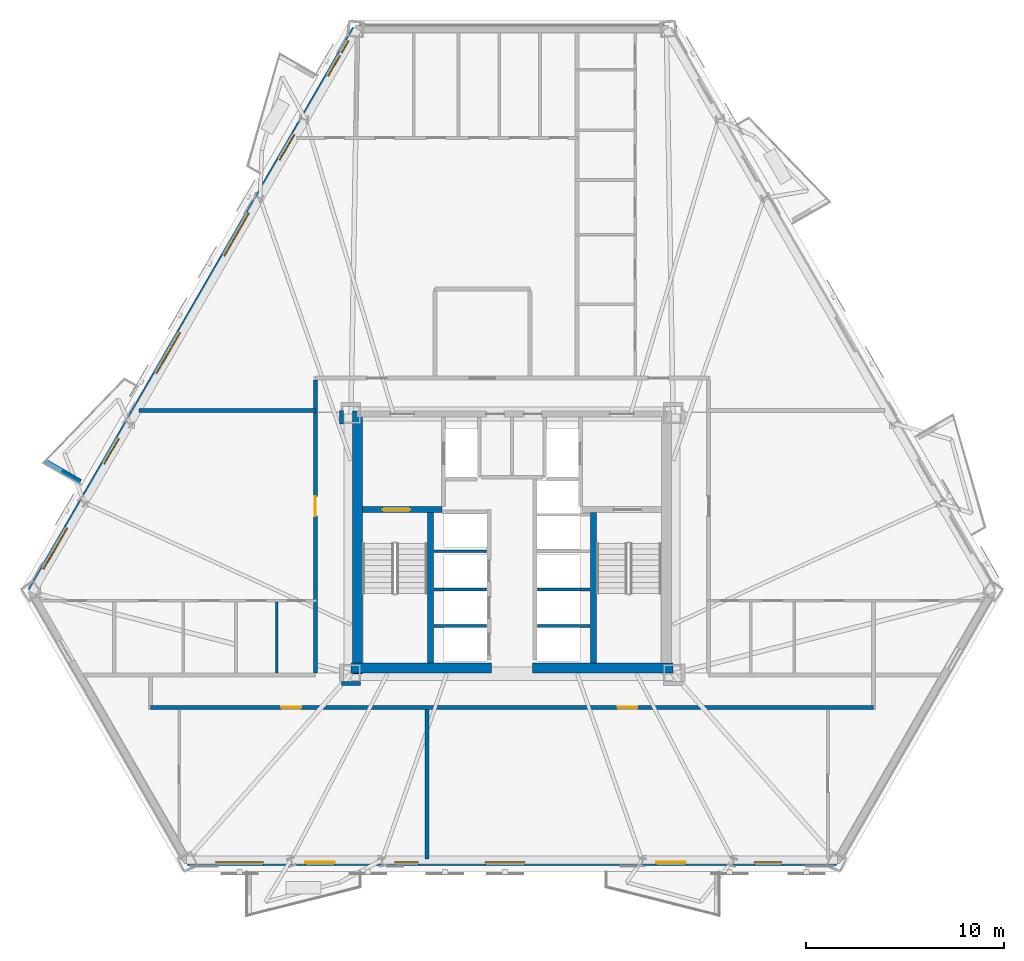
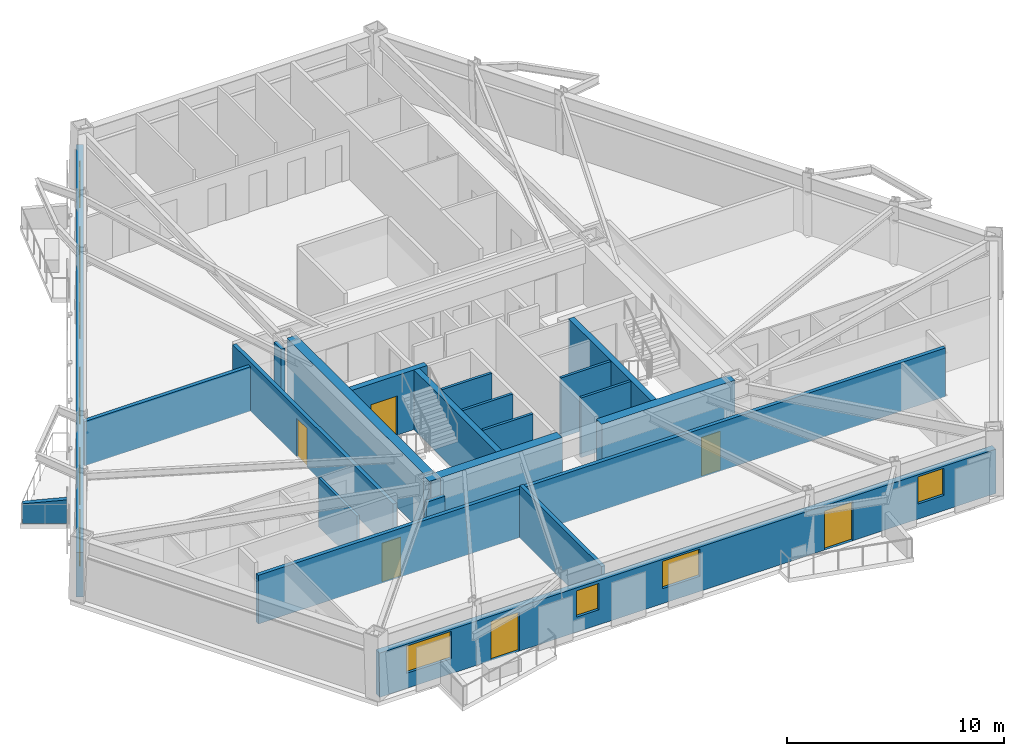
# One storey, part 3 of 12: 21 walls, 9 windows, 8 doors, 17 openings.
"""IFC4 building model written with IfcOpenShell, lengths in metres."""

from ifc_helpers import new_model, si_unit, direction, frame, frame_2d, origin, place, context, subcontext, project, spatial, polyline, rectangle, outline, extrude, material, layer, layer_set, type_object, element, fill, save


model = new_model("IFC4")

# Units and contexts
model_context = context("Model", 3, precision=1e-05, world=origin(), true_north=direction((0.0, 1.0)))
body_context = subcontext(model_context, "Body", "Model", "MODEL_VIEW")
ifc_project = project(units=[si_unit("LENGTHUNIT", "METRE"), si_unit("AREAUNIT", "SQUARE_METRE"), si_unit("VOLUMEUNIT", "CUBIC_METRE"), si_unit("PLANEANGLEUNIT", "RADIAN"), si_unit("MASSUNIT", "GRAM", prefix="KILO")], contexts=[model_context])

# Site, building, storey
site_placement = place(None, origin())
site = spatial("IfcSite", under=ifc_project, at=site_placement, CompositionType="ELEMENT")
building_placement = place(site_placement, origin())
building = spatial("IfcBuilding", under=site, at=building_placement, Name="Oramaril Tower", CompositionType="ELEMENT")
storey_placement = place(building_placement, frame((0.0, 0.0, 30.89990234375)))
storey = spatial("IfcBuildingStorey", under=building, at=storey_placement, Name="L07", CompositionType="ELEMENT", Elevation=30.89990234375)

# Wall, openings, doors, windows
ifc_material_1 = material(Name="Warm Cream Limestone", Category="masonry")
ifc_layer_1 = layer(ifc_material_1, 0.340087890625)
ifc_layer_set_1 = layer_set([ifc_layer_1], Name="WT-EXT34")
wall_type_1 = type_object("IfcWallType", Name="WT-EXT34", PredefinedType="SOLIDWALL", material=ifc_layer_set_1)
wall_1_placement = place(storey_placement, frame((21.087646484375, 1.4658203125, 0.0), z_axis=(0.0, 0.0, 1.0), x_axis=(1.0, 0.0, 0.0)))
wall_1 = element("IfcWall", 1, at=wall_1_placement, inside=storey, type_object=wall_type_1, Name="L07 Tower Limestone Facade Wall 2M", PredefinedType="SOLIDWALL", context=body_context, shape_type="SweptSolid", body=[
    extrude(rectangle(XDim=32.82470703125, YDim=0.340087890625, at=frame_2d((16.412353515625, 0.0))), origin(), (0.0, 0.0, 1.0), 2.494140625),
])
opening_1_placement = place(wall_1_placement, frame((5.949462890625, 0.0, 0.0)))
opening_1 = element("IfcOpeningElement", 2, at=opening_1_placement, cuts=wall_1, Name="Opening D-L07-BAL-S1", PredefinedType="OPENING", context=body_context, shape_type="SweptSolid", body=[
    extrude(rectangle(XDim=1.5, YDim=2.199951171875, at=frame_2d((0.75, 1.10009765625))), frame((0.0, 0.169921875, 0.0), z_axis=(0.0, -1.0, 0.0), x_axis=(1.0, 0.0, 0.0)), (0.0, 0.0, 1.0), 0.340087890625),
])
opening_2_placement = place(wall_1_placement, frame((23.710205078125, 0.0, 0.0)))
opening_2 = element("IfcOpeningElement", 3, at=opening_2_placement, cuts=wall_1, Name="Opening D-L07-BAL-S2", PredefinedType="OPENING", context=body_context, shape_type="SweptSolid", body=[
    extrude(rectangle(XDim=1.5, YDim=2.199951171875, at=frame_2d((0.75, 1.10009765625))), frame((0.0, 0.169921875, 0.0), z_axis=(0.0, -1.0, 0.0), x_axis=(1.0, 0.0, 0.0)), (0.0, 0.0, 1.0), 0.340087890625),
])
opening_3_placement = place(wall_1_placement, frame((1.4267578125, 0.0, 0.85009765625)))
opening_3 = element("IfcOpeningElement", 4, at=opening_3_placement, cuts=wall_1, Name="Opening WN-03", PredefinedType="OPENING", context=body_context, shape_type="SweptSolid", body=[
    extrude(rectangle(XDim=2.39990234375, YDim=1.533935546875, at=frame_2d((1.199951171875, 0.76708984375))), frame((0.0, 0.169921875, 0.0), z_axis=(0.0, -1.0, 0.0), x_axis=(1.0, 0.0, 0.0)), (0.0, 0.0, 1.0), 0.340087890625),
])
opening_4_placement = place(wall_1_placement, frame((10.476806640625, 0.0, 0.85009765625)))
opening_4 = element("IfcOpeningElement", 5, at=opening_4_placement, cuts=wall_1, Name="Opening WN-09", PredefinedType="OPENING", context=body_context, shape_type="SweptSolid", body=[
    extrude(rectangle(XDim=1.199951171875, YDim=1.47998046875, at=frame_2d((0.60009765625, 0.739990234375))), frame((0.0, 0.169921875, 0.0), z_axis=(0.0, -1.0, 0.0), x_axis=(1.0, 0.0, 0.0)), (0.0, 0.0, 1.0), 0.340087890625),
])
opening_5_placement = place(wall_1_placement, frame((15.063720703125, 0.0, 0.85009765625)))
opening_5 = element("IfcOpeningElement", 6, at=opening_5_placement, cuts=wall_1, Name="Opening WN-05", PredefinedType="OPENING", context=body_context, shape_type="SweptSolid", body=[
    extrude(rectangle(XDim=2.0, YDim=1.533935546875, at=frame_2d((1.0, 0.76708984375))), frame((0.0, 0.169921875, 0.0), z_axis=(0.0, -1.0, 0.0), x_axis=(1.0, 0.0, 0.0)), (0.0, 0.0, 1.0), 0.340087890625),
])
opening_6_placement = place(wall_1_placement, frame((28.6728515625, 0.0, 0.85009765625)))
opening_6 = element("IfcOpeningElement", 7, at=opening_6_placement, cuts=wall_1, Name="Opening WN-08", PredefinedType="OPENING", context=body_context, shape_type="SweptSolid", body=[
    extrude(rectangle(XDim=1.39990234375, YDim=1.533935546875, at=frame_2d((0.699951171875, 0.76708984375))), frame((0.0, 0.169921875, 0.0), z_axis=(0.0, -1.0, 0.0), x_axis=(1.0, 0.0, 0.0)), (0.0, 0.0, 1.0), 0.340087890625),
])
ifc_material_2 = material(Name="Anodised Aluminium 6063-T6", Category="aluminium")
door_type_1 = type_object("IfcDoorType", Name="DT-BAL", OperationType="NOTDEFINED", PredefinedType="DOOR", material=ifc_material_2)
door_1_placement = place(opening_1_placement, origin())
door_1 = element("IfcDoor", 8, at=door_1_placement, inside=storey, type_object=door_type_1, Name="L07 Balcony Glazed Door L07-BAL-S1", OperationType="SINGLE_SWING_RIGHT", OverallHeight=2.199951171875, OverallWidth=1.5, PredefinedType="DOOR", context=body_context, shape_type="SweptSolid", body=[
    extrude(rectangle(XDim=1.5, YDim=2.199951171875, at=frame_2d((0.75, 1.10009765625))), frame((0.0, 0.02490234375, 0.0), z_axis=(0.0, -1.0, 0.0), x_axis=(1.0, 0.0, 0.0)), (0.0, 0.0, 1.0), 0.050048828125),
])
fill(opening_1, door_1)
door_2_placement = place(opening_2_placement, origin())
door_2 = element("IfcDoor", 9, at=door_2_placement, inside=storey, type_object=door_type_1, Name="L07 Balcony Glazed Door L07-BAL-S2", OperationType="SINGLE_SWING_LEFT", OverallHeight=2.199951171875, OverallWidth=1.5, PredefinedType="DOOR", context=body_context, shape_type="SweptSolid", body=[
    extrude(rectangle(XDim=1.5, YDim=2.199951171875, at=frame_2d((0.75, 1.10009765625))), frame((0.0, 0.02490234375, 0.0), z_axis=(0.0, -1.0, 0.0), x_axis=(1.0, 0.0, 0.0)), (0.0, 0.0, 1.0), 0.050048828125),
])
fill(opening_2, door_2)
ifc_material_3 = material(Name="Coastal Low-E Insulated Glass", Category="glass")
window_type_1 = type_object("IfcWindowType", Name="WNT-03", PartitioningType="SINGLE_PANEL", PredefinedType="WINDOW", material=ifc_material_3)
window_1_placement = place(opening_3_placement, origin())
window_1 = element("IfcWindow", 10, at=window_1_placement, inside=storey, type_object=window_type_1, Name="L07 Chicago Bay Window WN-03", OverallHeight=1.533935546875, OverallWidth=2.39990234375, PartitioningType="SINGLE_PANEL", PredefinedType="WINDOW", context=body_context, shape_type="SweptSolid", body=[
    extrude(rectangle(XDim=2.39990234375, YDim=1.533935546875, at=frame_2d((1.199951171875, 0.76708984375))), frame((0.0, 0.030029296875, 0.0), z_axis=(0.0, -1.0, 0.0), x_axis=(1.0, 0.0, 0.0)), (0.0, 0.0, 1.0), 0.06005859375),
])
fill(opening_3, window_1)
ifc_material_4 = material(Name="Coastal Low-E Insulated Glass", Category="glass")
window_type_2 = type_object("IfcWindowType", Name="WNT-05", PartitioningType="SINGLE_PANEL", PredefinedType="WINDOW", material=ifc_material_4)
window_2_placement = place(opening_5_placement, origin())
window_2 = element("IfcWindow", 11, at=window_2_placement, inside=storey, type_object=window_type_2, Name="L07 Chicago Bay Window WN-05", OverallHeight=1.533935546875, OverallWidth=2.0, PartitioningType="SINGLE_PANEL", PredefinedType="WINDOW", context=body_context, shape_type="SweptSolid", body=[
    extrude(rectangle(XDim=2.0, YDim=1.533935546875, at=frame_2d((1.0, 0.76708984375))), frame((0.0, 0.030029296875, 0.0), z_axis=(0.0, -1.0, 0.0), x_axis=(1.0, 0.0, 0.0)), (0.0, 0.0, 1.0), 0.06005859375),
])
fill(opening_5, window_2)
ifc_material_5 = material(Name="Coastal Low-E Insulated Glass", Category="glass")
window_type_3 = type_object("IfcWindowType", Name="WNT-08", PartitioningType="SINGLE_PANEL", PredefinedType="WINDOW", material=ifc_material_5)
window_3_placement = place(opening_6_placement, origin())
window_3 = element("IfcWindow", 12, at=window_3_placement, inside=storey, type_object=window_type_3, Name="L07 Chicago Bay Window WN-08", OverallHeight=1.533935546875, OverallWidth=1.39990234375, PartitioningType="SINGLE_PANEL", PredefinedType="WINDOW", context=body_context, shape_type="SweptSolid", body=[
    extrude(rectangle(XDim=1.39990234375, YDim=1.533935546875, at=frame_2d((0.699951171875, 0.76708984375))), frame((0.0, 0.030029296875, 0.0), z_axis=(0.0, -1.0, 0.0), x_axis=(1.0, 0.0, 0.0)), (0.0, 0.0, 1.0), 0.06005859375),
])
fill(opening_6, window_3)
ifc_material_6 = material(Name="Coastal Low-E Insulated Glass", Category="glass")
window_type_4 = type_object("IfcWindowType", Name="WNT-09", PartitioningType="SINGLE_PANEL", PredefinedType="WINDOW", material=ifc_material_6)
window_4_placement = place(opening_4_placement, origin())
window_4 = element("IfcWindow", 13, at=window_4_placement, inside=storey, type_object=window_type_4, Name="L07 Chicago Bay Window WN-09", OverallHeight=1.47998046875, OverallWidth=1.199951171875, PartitioningType="SINGLE_PANEL", PredefinedType="WINDOW", context=body_context, shape_type="SweptSolid", body=[
    extrude(rectangle(XDim=1.199951171875, YDim=1.47998046875, at=frame_2d((0.60009765625, 0.739990234375))), frame((0.0, 0.030029296875, 0.0), z_axis=(0.0, -1.0, 0.0), x_axis=(1.0, 0.0, 0.0)), (0.0, 0.0, 1.0), 0.06005859375),
])
fill(opening_4, window_4)

wall_2_placement = place(storey_placement, frame((29.568359375, 43.630615234375, 0.0), z_axis=(0.0, 0.0, 1.0), x_axis=(-0.500000372107, -0.866025188948, 0.0)))
wall_2 = element("IfcWall", 14, at=wall_2_placement, inside=storey, type_object=wall_type_1, Name="L07 Tower Limestone Facade Wall 6M", PredefinedType="SOLIDWALL", context=body_context, shape_type="SweptSolid", body=[
    extrude(rectangle(XDim=32.82470703125, YDim=0.340087890625, at=frame_2d((16.412353515625, 0.0))), origin(), (0.0, 0.0, 1.0), 2.494140625),
])
opening_7_placement = place(wall_2_placement, frame((6.159423828125, 0.0, 0.0)))
opening_7 = element("IfcOpeningElement", 15, at=opening_7_placement, cuts=wall_2, Name="Opening D-L07-BAL-NW1", PredefinedType="OPENING", context=body_context, shape_type="SweptSolid", body=[
    extrude(rectangle(XDim=1.5, YDim=2.199951171875, at=frame_2d((0.75, 1.10009765625))), frame((0.0, 0.169921875, 0.0), z_axis=(0.0, -1.0, 0.0), x_axis=(1.0, 0.0, 0.0)), (0.0, 0.0, 1.0), 0.340087890625),
])
opening_8_placement = place(wall_2_placement, frame((23.920166015625, 0.0, 0.0)))
opening_8 = element("IfcOpeningElement", 16, at=opening_8_placement, cuts=wall_2, Name="Opening D-L07-BAL-NW2", PredefinedType="OPENING", context=body_context, shape_type="SweptSolid", body=[
    extrude(rectangle(XDim=1.5, YDim=2.199951171875, at=frame_2d((0.75, 1.10009765625))), frame((0.0, 0.169921875, 0.0), z_axis=(0.0, -1.0, 0.0), x_axis=(1.0, 0.0, 0.0)), (0.0, 0.0, 1.0), 0.340087890625),
])
opening_9_placement = place(wall_2_placement, frame((29.15966796875, 0.0, 0.85009765625)))
opening_9 = element("IfcOpeningElement", 17, at=opening_9_placement, cuts=wall_2, Name="Opening WN-03", PredefinedType="OPENING", context=body_context, shape_type="SweptSolid", body=[
    extrude(rectangle(XDim=2.39990234375, YDim=1.533935546875, at=frame_2d((1.199951171875, 0.76708984375))), frame((0.0, 0.169921875, 0.0), z_axis=(0.0, -1.0, 0.0), x_axis=(1.0, 0.0, 0.0)), (0.0, 0.0, 1.0), 0.340087890625),
])
opening_10_placement = place(wall_2_placement, frame((10.759521484375, 0.0, 0.85009765625)))
opening_10 = element("IfcOpeningElement", 18, at=opening_10_placement, cuts=wall_2, Name="Opening WN-11", PredefinedType="OPENING", context=body_context, shape_type="SweptSolid", body=[
    extrude(rectangle(XDim=2.5, YDim=1.533935546875, at=frame_2d((1.25, 0.76708984375))), frame((0.0, 0.169921875, 0.0), z_axis=(0.0, -1.0, 0.0), x_axis=(1.0, 0.0, 0.0)), (0.0, 0.0, 1.0), 0.340087890625),
])
opening_11_placement = place(wall_2_placement, frame((17.732177734375, 0.0, 0.85009765625)))
opening_11 = element("IfcOpeningElement", 19, at=opening_11_placement, cuts=wall_2, Name="Opening WN-03", PredefinedType="OPENING", context=body_context, shape_type="SweptSolid", body=[
    extrude(rectangle(XDim=2.39990234375, YDim=1.533935546875, at=frame_2d((1.199951171875, 0.76708984375))), frame((0.0, 0.169921875, 0.0), z_axis=(0.0, -1.0, 0.0), x_axis=(1.0, 0.0, 0.0)), (0.0, 0.0, 1.0), 0.340087890625),
])
opening_12_placement = place(wall_2_placement, frame((1.53857421875, 0.0, 0.85009765625)))
opening_12 = element("IfcOpeningElement", 20, at=opening_12_placement, cuts=wall_2, Name="Opening WN-09", PredefinedType="OPENING", context=body_context, shape_type="SweptSolid", body=[
    extrude(rectangle(XDim=1.199951171875, YDim=1.47998046875, at=frame_2d((0.60009765625, 0.739990234375))), frame((0.0, 0.169921875, 0.0), z_axis=(0.0, -1.0, 0.0), x_axis=(1.0, 0.0, 0.0)), (0.0, 0.0, 1.0), 0.340087890625),
])
opening_13_placement = place(wall_2_placement, frame((0.68994140625, 0.0, 0.85009765625)))
opening_13 = element("IfcOpeningElement", 21, at=opening_13_placement, cuts=wall_2, Name="Opening WN-14", PredefinedType="OPENING", context=body_context, shape_type="SweptSolid", body=[
    extrude(rectangle(XDim=0.699951171875, YDim=1.199951171875, at=frame_2d((0.35009765625, 0.60009765625))), frame((0.0, 0.169921875, 0.0), z_axis=(0.0, -1.0, 0.0), x_axis=(1.0, 0.0, 0.0)), (0.0, 0.0, 1.0), 0.340087890625),
])
door_3_placement = place(opening_7_placement, origin())
door_3 = element("IfcDoor", 22, at=door_3_placement, inside=storey, type_object=door_type_1, Name="L07 Balcony Glazed Door L07-BAL-NW1", OperationType="SINGLE_SWING_RIGHT", OverallHeight=2.199951171875, OverallWidth=1.5, PredefinedType="DOOR", context=body_context, shape_type="SweptSolid", body=[
    extrude(rectangle(XDim=1.5, YDim=2.199951171875, at=frame_2d((0.75, 1.10009765625))), frame((0.0, 0.02490234375, 0.0), z_axis=(0.0, -1.0, 0.0), x_axis=(1.0, 0.0, 0.0)), (0.0, 0.0, 1.0), 0.050048828125),
])
fill(opening_7, door_3)
door_4_placement = place(opening_8_placement, origin())
door_4 = element("IfcDoor", 23, at=door_4_placement, inside=storey, type_object=door_type_1, Name="L07 Balcony Glazed Door L07-BAL-NW2", OperationType="SINGLE_SWING_LEFT", OverallHeight=2.199951171875, OverallWidth=1.5, PredefinedType="DOOR", context=body_context, shape_type="SweptSolid", body=[
    extrude(rectangle(XDim=1.5, YDim=2.199951171875, at=frame_2d((0.75, 1.10009765625))), frame((0.0, 0.02490234375, 0.0), z_axis=(0.0, -1.0, 0.0), x_axis=(1.0, 0.0, 0.0)), (0.0, 0.0, 1.0), 0.050048828125),
])
fill(opening_8, door_4)
window_5_placement = place(opening_9_placement, origin())
window_5 = element("IfcWindow", 24, at=window_5_placement, inside=storey, type_object=window_type_1, Name="L07 Chicago Bay Window WN-03", OverallHeight=1.533935546875, OverallWidth=2.39990234375, PartitioningType="SINGLE_PANEL", PredefinedType="WINDOW", context=body_context, shape_type="SweptSolid", body=[
    extrude(rectangle(XDim=2.39990234375, YDim=1.533935546875, at=frame_2d((1.199951171875, 0.76708984375))), frame((0.0, 0.030029296875, 0.0), z_axis=(0.0, -1.0, 0.0), x_axis=(1.0, 0.0, 0.0)), (0.0, 0.0, 1.0), 0.06005859375),
])
fill(opening_9, window_5)
window_6_placement = place(opening_11_placement, origin())
window_6 = element("IfcWindow", 25, at=window_6_placement, inside=storey, type_object=window_type_1, Name="L07 Chicago Bay Window WN-03", OverallHeight=1.533935546875, OverallWidth=2.39990234375, PartitioningType="SINGLE_PANEL", PredefinedType="WINDOW", context=body_context, shape_type="SweptSolid", body=[
    extrude(rectangle(XDim=2.39990234375, YDim=1.533935546875, at=frame_2d((1.199951171875, 0.76708984375))), frame((0.0, 0.030029296875, 0.0), z_axis=(0.0, -1.0, 0.0), x_axis=(1.0, 0.0, 0.0)), (0.0, 0.0, 1.0), 0.06005859375),
])
fill(opening_11, window_6)
window_7_placement = place(opening_12_placement, origin())
window_7 = element("IfcWindow", 26, at=window_7_placement, inside=storey, type_object=window_type_4, Name="L07 Chicago Bay Window WN-09", OverallHeight=1.47998046875, OverallWidth=1.199951171875, PartitioningType="SINGLE_PANEL", PredefinedType="WINDOW", context=body_context, shape_type="SweptSolid", body=[
    extrude(rectangle(XDim=1.199951171875, YDim=1.47998046875, at=frame_2d((0.60009765625, 0.739990234375))), frame((0.0, 0.030029296875, 0.0), z_axis=(0.0, -1.0, 0.0), x_axis=(1.0, 0.0, 0.0)), (0.0, 0.0, 1.0), 0.06005859375),
])
fill(opening_12, window_7)
ifc_material_7 = material(Name="Coastal Low-E Insulated Glass", Category="glass")
window_type_5 = type_object("IfcWindowType", Name="WNT-11", PartitioningType="SINGLE_PANEL", PredefinedType="WINDOW", material=ifc_material_7)
window_8_placement = place(opening_10_placement, origin())
window_8 = element("IfcWindow", 27, at=window_8_placement, inside=storey, type_object=window_type_5, Name="L07 Chicago Bay Window WN-11", OverallHeight=1.533935546875, OverallWidth=2.5, PartitioningType="SINGLE_PANEL", PredefinedType="WINDOW", context=body_context, shape_type="SweptSolid", body=[
    extrude(rectangle(XDim=2.5, YDim=1.533935546875, at=frame_2d((1.25, 0.76708984375))), frame((0.0, 0.030029296875, 0.0), z_axis=(0.0, -1.0, 0.0), x_axis=(1.0, 0.0, 0.0)), (0.0, 0.0, 1.0), 0.06005859375),
])
fill(opening_10, window_8)
ifc_material_8 = material(Name="Coastal Low-E Insulated Glass", Category="glass")
window_type_6 = type_object("IfcWindowType", Name="WNT-14", PartitioningType="SINGLE_PANEL", PredefinedType="WINDOW", material=ifc_material_8)
window_9_placement = place(opening_13_placement, origin())
window_9 = element("IfcWindow", 28, at=window_9_placement, inside=storey, type_object=window_type_6, Name="L07 Apartment Bedroom Window WN-14", OverallHeight=1.199951171875, OverallWidth=0.699951171875, PartitioningType="SINGLE_PANEL", PredefinedType="WINDOW", context=body_context, shape_type="SweptSolid", body=[
    extrude(rectangle(XDim=0.699951171875, YDim=1.199951171875, at=frame_2d((0.35009765625, 0.60009765625))), frame((0.0, 0.030029296875, 0.0), z_axis=(0.0, -1.0, 0.0), x_axis=(1.0, 0.0, 0.0)), (0.0, 0.0, 1.0), 0.06005859375),
])
fill(opening_13, window_9)

# Walls
ifc_material_9 = material(Name="Concrete C40/50", Category="concrete")
ifc_layer_2 = layer(ifc_material_9, 0.22998046875)
ifc_layer_set_2 = layer_set([ifc_layer_2], Name="WT-PRP23")
wall_type_2 = type_object("IfcWallType", Name="WT-PRP23", PredefinedType="PARAPET", material=ifc_layer_set_2)
wall_3_placement = place(storey_placement, frame((15.657958984375, 20.73291015625, 0.0), z_axis=(0.0, 0.0, 1.0), x_axis=(-0.866042246008, 0.499970827278, 0.0)))
element("IfcWall", 29, at=wall_3_placement, inside=storey, type_object=wall_type_2, Name="L07 Trapezoidal Balcony Frame Cheek L07-BAL-NW2-R", PredefinedType="PARAPET", context=body_context, shape_type="SweptSolid", body=[
    extrude(outline(polyline([(0.0, 0.0), (2.0419921875, 0.0), (2.0419921875, 1.10009765625), (0.0, 1.320068359375), (0.0, 0.0)])), frame((0.0, 0.114990234375, 0.0), z_axis=(0.0, -1.0, 0.0), x_axis=(1.0, 0.0, 0.0)), (0.0, 0.0, 1.0), 0.22998046875),
])
ifc_material_10 = material(Name="Acoustic Gypsum Board Partition")
ifc_layer_3 = layer(ifc_material_10, 0.139892578125)
ifc_layer_set_3 = layer_set([ifc_layer_3], Name="WT-PT14")
wall_type_3 = type_object("IfcWallType", Name="WT-PT14", PredefinedType="PARTITIONING", material=ifc_layer_set_3)
for number, where, z_axis, x_axis, name in (
    (30, (33.56005859375, 13.419921875, 0.0), (0.0, 0.0, 1.0), (1.0, 0.0, 0.0), "L07 West Lift Divider"),
    (31, (33.56005859375, 15.27001953125, 0.0), (0.0, 0.0, 1.0), (1.0, 0.0, 0.0), "L07 West Lift Divider"),
    (32, (33.56005859375, 17.199951171875, 0.0), (0.0, 0.0, 1.0), (1.0, 0.0, 0.0), "L07 West Lift Divider"),
    (33, (38.780029296875, 13.419921875, 0.0), (0.0, 0.0, 1.0), (1.0, 0.0, 0.0), "L07 East Lift Divider"),
    (34, (38.780029296875, 15.27001953125, 0.0), (0.0, 0.0, 1.0), (1.0, 0.0, 0.0), "L07 East Lift Divider"),
):
    element("IfcWall", number, at=place(storey_placement, frame(where, z_axis=z_axis, x_axis=x_axis)), inside=storey, type_object=wall_type_3, Name=name, PredefinedType="PARTITIONING", context=body_context, shape_type="SweptSolid", body=[
        extrude(rectangle(XDim=2.659912109375, YDim=0.139892578125, at=frame_2d((1.330078125, 0.0))), origin(), (0.0, 0.0, 1.0), 3.360107421875),
    ])
wall_4_placement = place(storey_placement, frame((25.590087890625, 11.053955078125, 0.0), z_axis=(0.0, 0.0, 1.0), x_axis=(0.0, 1.0, 0.0)))
element("IfcWall", 35, at=wall_4_placement, inside=storey, type_object=wall_type_3, Name="L07 Interior Partition PT-14", PredefinedType="PARTITIONING", context=body_context, shape_type="SweptSolid", body=[
    extrude(rectangle(XDim=3.572021484375, YDim=0.139892578125, at=frame_2d((1.7861328125, 0.0))), origin(), (0.0, 0.0, 1.0), 2.738037109375),
])

# Wall, openings, doors
ifc_material_11 = material(Name="Autoclaved Cellular Concrete Block", Category="concrete")
ifc_layer_4 = layer(ifc_material_11, 0.199951171875)
ifc_layer_set_4 = layer_set([ifc_layer_4], Name="WT-PT20")
wall_type_4 = type_object("IfcWallType", Name="WT-PT20", PredefinedType="PARTITIONING", material=ifc_layer_set_4)
wall_5_placement = place(storey_placement, frame((19.199951171875, 9.300048828125, 0.0), z_axis=(0.0, 0.0, 1.0), x_axis=(1.0, 0.0, 0.0)))
wall_5 = element("IfcWall", 36, at=wall_5_placement, inside=storey, type_object=wall_type_4, Name="L07 Interior Partition PT-20", PredefinedType="PARTITIONING", context=body_context, shape_type="SweptSolid", body=[
    extrude(rectangle(XDim=36.60009765625, YDim=0.199951171875, at=frame_2d((18.300048828125, 0.0))), origin(), (0.0, 0.0, 1.0), 2.738037109375),
])
opening_14_placement = place(wall_5_placement, frame((6.6337890625, 0.0, 0.0)))
opening_14 = element("IfcOpeningElement", 37, at=opening_14_placement, cuts=wall_5, Name="Opening D-L07-01", PredefinedType="OPENING", context=body_context, shape_type="SweptSolid", body=[
    extrude(rectangle(XDim=1.0, YDim=2.179931640625, at=frame_2d((0.5, 1.08984375))), frame((0.0, 0.10009765625, 0.0), z_axis=(0.0, -1.0, 0.0), x_axis=(1.0, 0.0, 0.0)), (0.0, 0.0, 1.0), 0.199951171875),
])
opening_15_placement = place(wall_5_placement, frame((23.645751953125, 0.0, 0.0)))
opening_15 = element("IfcOpeningElement", 38, at=opening_15_placement, cuts=wall_5, Name="Opening D-L07-02", PredefinedType="OPENING", context=body_context, shape_type="SweptSolid", body=[
    extrude(rectangle(XDim=1.0, YDim=2.179931640625, at=frame_2d((0.5, 1.08984375))), frame((0.0, 0.10009765625, 0.0), z_axis=(0.0, -1.0, 0.0), x_axis=(1.0, 0.0, 0.0)), (0.0, 0.0, 1.0), 0.199951171875),
])
ifc_material_12 = material(Name="FSC Brazilian Freijo Hardwood", Category="wood")
door_type_2 = type_object("IfcDoorType", Name="DT-APT", OperationType="NOTDEFINED", PredefinedType="DOOR", material=ifc_material_12)
door_5_placement = place(opening_14_placement, origin())
door_5 = element("IfcDoor", 39, at=door_5_placement, inside=storey, type_object=door_type_2, Name="L07 Flat L07-U1 Kitchen and Studio Apartment Door D-L07-01", OperationType="SINGLE_SWING_LEFT", OverallHeight=2.179931640625, OverallWidth=1.0, PredefinedType="DOOR", context=body_context, shape_type="SweptSolid", body=[
    extrude(rectangle(XDim=1.0, YDim=2.179931640625, at=frame_2d((0.5, 1.08984375))), frame((0.0, 0.02490234375, 0.0), z_axis=(0.0, -1.0, 0.0), x_axis=(1.0, 0.0, 0.0)), (0.0, 0.0, 1.0), 0.050048828125),
])
fill(opening_14, door_5)
door_6_placement = place(opening_15_placement, origin())
door_6 = element("IfcDoor", 40, at=door_6_placement, inside=storey, type_object=door_type_2, Name="L07 Flat L07-U2 Kitchen and Studio Apartment Door D-L07-02", OperationType="SINGLE_SWING_RIGHT", OverallHeight=2.179931640625, OverallWidth=1.0, PredefinedType="DOOR", context=body_context, shape_type="SweptSolid", body=[
    extrude(rectangle(XDim=1.0, YDim=2.179931640625, at=frame_2d((0.5, 1.08984375))), frame((0.0, 0.02490234375, 0.0), z_axis=(0.0, -1.0, 0.0), x_axis=(1.0, 0.0, 0.0)), (0.0, 0.0, 1.0), 0.050048828125),
])
fill(opening_15, door_6)

# Walls
wall_6_placement = place(storey_placement, frame((28.860107421875, 10.510009765625, 0.0), z_axis=(0.0, 0.0, 1.0), x_axis=(1.0, 0.0, 0.0)))
element("IfcWall", 41, at=wall_6_placement, inside=storey, type_object=wall_type_4, Name="L07 Interior Partition PT-20", PredefinedType="PARTITIONING", context=body_context, shape_type="SweptSolid", body=[
    extrude(rectangle(XDim=0.97998046875, YDim=0.199951171875, at=frame_2d((0.489990234375, 0.0))), origin(), (0.0, 0.0, 1.0), 2.738037109375),
])
wall_7_placement = place(storey_placement, frame((18.620361328125, 24.320068359375, 0.0), z_axis=(0.0, 0.0, 1.0), x_axis=(1.0, 0.0, 0.0)))
element("IfcWall", 42, at=wall_7_placement, inside=storey, type_object=wall_type_4, Name="L07 Interior Partition PT-20", PredefinedType="PARTITIONING", context=body_context, shape_type="SweptSolid", body=[
    extrude(rectangle(XDim=8.9296875, YDim=0.199951171875, at=frame_2d((4.46484375, 0.0))), origin(), (0.0, 0.0, 1.0), 2.494140625),
])

# Wall, opening, door
wall_8_placement = place(storey_placement, frame((27.550048828125, 11.053955078125, 0.0), z_axis=(0.0, 0.0, 1.0), x_axis=(0.0, 1.0, 0.0)))
wall_8 = element("IfcWall", 43, at=wall_8_placement, inside=storey, type_object=wall_type_4, Name="L07 Interior Partition PT-20", PredefinedType="PARTITIONING", context=body_context, shape_type="SweptSolid", body=[
    extrude(rectangle(XDim=14.81201171875, YDim=0.199951171875, at=frame_2d((7.406005859375, 0.0))), origin(), (0.0, 0.0, 1.0), 2.738037109375),
])
opening_16_placement = place(wall_8_placement, frame((7.931884765625, 0.0, 0.0)))
opening_16 = element("IfcOpeningElement", 44, at=opening_16_placement, cuts=wall_8, Name="Opening D-L07-22", PredefinedType="OPENING", context=body_context, shape_type="SweptSolid", body=[
    extrude(rectangle(XDim=1.0, YDim=2.179931640625, at=frame_2d((0.5, 1.08984375))), frame((0.0, 0.10009765625, 0.0), z_axis=(0.0, -1.0, 0.0), x_axis=(1.0, 0.0, 0.0)), (0.0, 0.0, 1.0), 0.199951171875),
])
door_7_placement = place(opening_16_placement, origin())
door_7 = element("IfcDoor", 45, at=door_7_placement, inside=storey, type_object=door_type_2, Name="L07 Flat L07-U3 Penthouse 2-Bedroom Living and Dining Room Door D-L07-22", OperationType="SINGLE_SWING_RIGHT", OverallHeight=2.179931640625, OverallWidth=1.0, PredefinedType="DOOR", context=body_context, shape_type="SweptSolid", body=[
    extrude(rectangle(XDim=1.0, YDim=2.179931640625, at=frame_2d((0.5, 1.08984375))), frame((0.0, 0.02490234375, 0.0), z_axis=(0.0, -1.0, 0.0), x_axis=(1.0, 0.0, 0.0)), (0.0, 0.0, 1.0), 0.050048828125),
])
fill(opening_16, door_7)

# Walls
wall_9_placement = place(storey_placement, frame((28.860107421875, 23.655029296875, 0.0), z_axis=(0.0, 0.0, 1.0), x_axis=(0.0, 1.0, 0.0)))
element("IfcWall", 46, at=wall_9_placement, inside=storey, type_object=wall_type_4, Name="L07 Interior Partition PT-20", PredefinedType="PARTITIONING", context=body_context, shape_type="SweptSolid", body=[
    extrude(rectangle(XDim=0.6650390625, YDim=0.199951171875, at=frame_2d((0.33251953125, 0.0))), origin(), (0.0, 0.0, 1.0), 3.360107421875),
])
wall_10_placement = place(storey_placement, frame((33.199951171875, 1.6396484375, 0.0), z_axis=(0.0, 0.0, 1.0), x_axis=(0.0, 1.0, 0.0)))
element("IfcWall", 47, at=wall_10_placement, inside=storey, type_object=wall_type_4, Name="L07 Interior Partition PT-20", PredefinedType="PARTITIONING", context=body_context, shape_type="SweptSolid", body=[
    extrude(rectangle(XDim=7.556396484375, YDim=0.199951171875, at=frame_2d((3.7783203125, 0.0))), origin(), (0.0, 0.0, 1.0), 2.946044921875),
])

# Wall, opening, door
ifc_material_13 = material(Name="Concrete C50/60", Category="concrete")
ifc_layer_5 = layer(ifc_material_13, 0.300048828125)
ifc_layer_set_5 = layer_set([ifc_layer_5], Name="WT-SH30")
wall_type_5 = type_object("IfcWallType", Name="WT-SH30", PredefinedType="SHEAR", material=ifc_layer_set_5)
wall_11_placement = place(storey_placement, frame((29.93994140625, 19.31005859375, 0.0), z_axis=(0.0, 0.0, 1.0), x_axis=(1.0, 0.0, 0.0)))
wall_11 = element("IfcWall", 48, at=wall_11_placement, inside=storey, type_object=wall_type_5, Name="L07 Core Shear Wall CW-ST1N", PredefinedType="SHEAR", context=body_context, shape_type="SweptSolid", body=[
    extrude(rectangle(XDim=4.010009765625, YDim=0.300048828125, at=frame_2d((2.0048828125, 0.0))), origin(), (0.0, 0.0, 1.0), 3.360107421875),
])
opening_17_placement = place(wall_11_placement, frame((1.010009765625, 0.0, 0.0)))
opening_17 = element("IfcOpeningElement", 49, at=opening_17_placement, cuts=wall_11, Name="Opening D-L07-ST1", PredefinedType="OPENING", context=body_context, shape_type="SweptSolid", body=[
    extrude(rectangle(XDim=1.39990234375, YDim=2.199951171875, at=frame_2d((0.699951171875, 1.10009765625))), frame((0.0, 0.14990234375, 0.0), z_axis=(0.0, -1.0, 0.0), x_axis=(1.0, 0.0, 0.0)), (0.0, 0.0, 1.0), 0.300048828125),
])
ifc_material_14 = material(Name="Painted Galvanised Steel", Category="steel")
door_type_3 = type_object("IfcDoorType", Name="DT-ST", OperationType="NOTDEFINED", PredefinedType="DOOR", material=ifc_material_14)
door_8_placement = place(opening_17_placement, origin())
door_8 = element("IfcDoor", 50, at=door_8_placement, inside=storey, type_object=door_type_3, Name="L07 Protected Stair ST-1 Fire Door", OperationType="SINGLE_SWING_LEFT", OverallHeight=2.199951171875, OverallWidth=1.39990234375, PredefinedType="DOOR", context=body_context, shape_type="SweptSolid", body=[
    extrude(rectangle(XDim=1.39990234375, YDim=2.199951171875, at=frame_2d((0.699951171875, 1.10009765625))), frame((0.0, 0.02490234375, 0.0), z_axis=(0.0, -1.0, 0.0), x_axis=(1.0, 0.0, 0.0)), (0.0, 0.0, 1.0), 0.050048828125),
])
fill(opening_17, door_8)

# Walls
for number, where, z_axis, x_axis, name in (
    (51, (33.3798828125, 11.5400390625, 0.0), (0.0, 0.0, 1.0), (0.0, 1.0, 0.0), "L07 Core Shear Wall CW-ST1E"),
    (52, (41.6201171875, 11.5400390625, 0.0), (0.0, 0.0, 1.0), (0.0, 1.0, 0.0), "L07 Core Shear Wall CW-ST2W"),
):
    element("IfcWall", number, at=place(storey_placement, frame(where, z_axis=z_axis, x_axis=x_axis)), inside=storey, type_object=wall_type_5, Name=name, PredefinedType="SHEAR", context=body_context, shape_type="SweptSolid", body=[
        extrude(rectangle(XDim=7.619873046875, YDim=0.300048828125, at=frame_2d((3.81005859375, 0.0))), origin(), (0.0, 0.0, 1.0), 3.360107421875),
    ])
ifc_material_15 = material(Name="Concrete C50/60", Category="concrete")
ifc_layer_6 = layer(ifc_material_15, 0.5)
ifc_layer_set_6 = layer_set([ifc_layer_6], Name="WT-SH50")
wall_type_6 = type_object("IfcWallType", Name="WT-SH50", PredefinedType="SHEAR", material=ifc_layer_set_6)
wall_12_placement = place(storey_placement, frame((29.68994140625, 11.0, 0.0), z_axis=(0.0, 0.0, 1.0), x_axis=(0.0, 1.0, 0.0)))
element("IfcWall", 53, at=wall_12_placement, inside=storey, type_object=wall_type_6, Name="L07 Core Shear Wall CW-W", PredefinedType="SHEAR", context=body_context, shape_type="SweptSolid", body=[
    extrude(rectangle(XDim=13.300048828125, YDim=0.5, at=frame_2d((6.64990234375, 0.0))), origin(), (0.0, 0.0, 1.0), 3.360107421875),
])
for number, where, z_axis, x_axis, name in (
    (54, (29.35009765625, 11.2900390625, 0.0), (0.0, 0.0, 1.0), (1.0, 0.0, 0.0), "L07 Core Shear Wall CW-SW"),
    (55, (38.550048828125, 11.2900390625, 0.0), (0.0, 0.0, 1.0), (1.0, 0.0, 0.0), "L07 Core Shear Wall CW-SE"),
):
    element("IfcWall", number, at=place(storey_placement, frame(where, z_axis=z_axis, x_axis=x_axis)), inside=storey, type_object=wall_type_6, Name=name, PredefinedType="SHEAR", context=body_context, shape_type="SweptSolid", body=[
        extrude(rectangle(XDim=7.099853515625, YDim=0.5, at=frame_2d((3.5498046875, 0.0))), origin(), (0.0, 0.0, 1.0), 3.360107421875),
    ])

save(model, "model.ifc")
